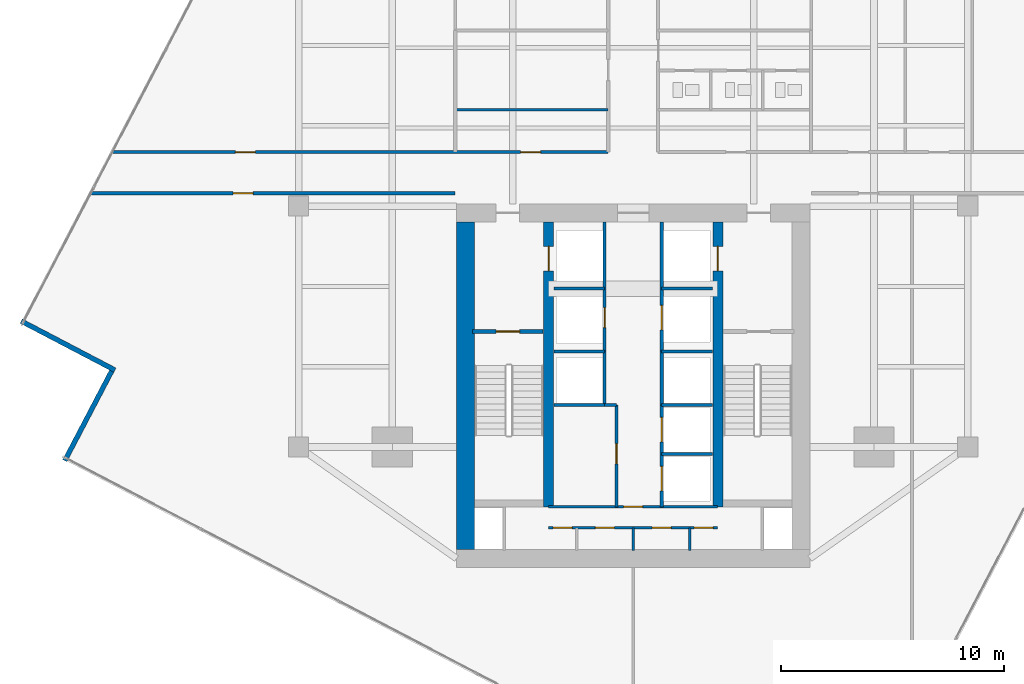
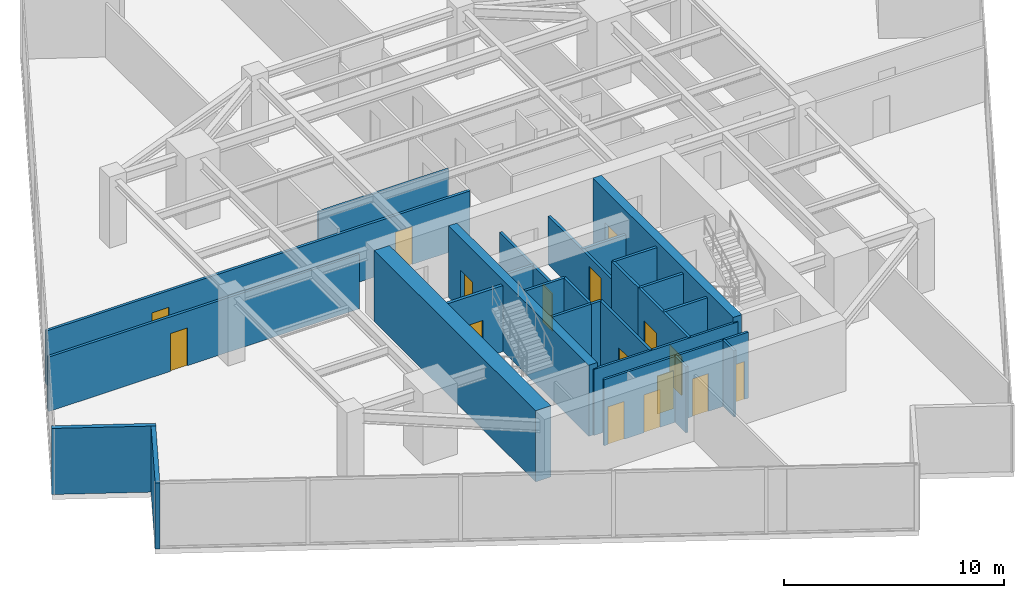
# One storey, part 23 of 27: 27 walls, 16 doors, 16 openings.
"""IFC4 building model written with IfcOpenShell, lengths in metres."""

from ifc_helpers import new_model, si_unit, direction, frame, frame_2d, origin, place, context, subcontext, project, spatial, rectangle, extrude, material, layer, layer_set, type_object, element, fill, save


model = new_model("IFC4")

# Units and contexts
model_context = context("Model", 3, precision=1e-05, world=origin(), true_north=direction((0.0, 1.0)))
body_context = subcontext(model_context, "Body", "Model", "MODEL_VIEW")
ifc_project = project(units=[si_unit("LENGTHUNIT", "METRE"), si_unit("AREAUNIT", "SQUARE_METRE"), si_unit("VOLUMEUNIT", "CUBIC_METRE"), si_unit("PLANEANGLEUNIT", "RADIAN"), si_unit("MASSUNIT", "GRAM", prefix="KILO")], contexts=[model_context])

# Site, building, storey
site_placement = place(None, origin())
site = spatial("IfcSite", under=ifc_project, at=site_placement, CompositionType="ELEMENT")
building_placement = place(site_placement, origin())
building = spatial("IfcBuilding", under=site, at=building_placement, Name="Krantzveldt Concourse Tower", CompositionType="ELEMENT")
storey_placement = place(building_placement, frame((0.0, 0.0, 154.10009765625)))
storey = spatial("IfcBuildingStorey", under=building, at=storey_placement, Name="L37", CompositionType="ELEMENT", Elevation=154.10009765625)

# Walls
ifc_material_1 = material(Name="Anodised aluminium 6063-T6", Category="aluminium")
ifc_layer_1 = layer(ifc_material_1, 0.219970703125, Name="Anodised aluminium 6063-T6", Category="aluminium")
ifc_layer_set_1 = layer_set([ifc_layer_1], Name="Anodised aluminium 6063-T6 (WL-EXT-NOTCH220)")
wall_type_1 = type_object("IfcWallType", Name="WL-EXT-NOTCH220", PredefinedType="ELEMENTEDWALL", material=ifc_layer_set_1)
wall_1_placement = place(storey_placement, frame((8.557373046875, 21.54736328125, 0.0), z_axis=(0.0, 0.0, 1.0), x_axis=(0.886000663224, -0.463683970788, 0.0)))
element("IfcWall", 1, at=wall_1_placement, inside=storey, type_object=wall_type_1, Name="EW-L37-NCH02", PredefinedType="ELEMENTEDWALL", context=body_context, shape_type="SweptSolid", body=[
    extrude(rectangle(XDim=4.7451171875, YDim=0.219970703125, at=frame_2d((2.37255859375, 0.0))), origin(), (0.0, 0.0, 1.0), 3.669921875),
])
wall_2_placement = place(storey_placement, frame((12.613037109375, 19.300537109375, 0.0), z_axis=(0.0, 0.0, 1.0), x_axis=(-0.463690434653, -0.885997280363, 0.0)))
element("IfcWall", 2, at=wall_2_placement, inside=storey, type_object=wall_type_1, Name="EW-L37-NCH03", PredefinedType="ELEMENTEDWALL", context=body_context, shape_type="SweptSolid", body=[
    extrude(rectangle(XDim=4.52490234375, YDim=0.219970703125, at=frame_2d((2.262451171875, 0.0))), origin(), (0.0, 0.0, 1.0), 3.669921875),
])

# Wall, opening, door
ifc_material_2 = material(Name="Fire-rated gypsum plasterboard on steel stud", Category="steel")
ifc_layer_2 = layer(ifc_material_2, 0.1201171875, Name="Fire-rated gypsum plasterboard on steel stud", Category="steel")
ifc_layer_set_2 = layer_set([ifc_layer_2], Name="Fire-rated gypsum plasterboard on steel stud (WL-PART-120)")
wall_type_2 = type_object("IfcWallType", Name="WL-PART-120", PredefinedType="PARTITIONING", material=ifc_layer_set_2)
wall_3_placement = place(storey_placement, frame((32.2099609375, 13.219970703125, 0.0), z_axis=(0.0, 0.0, 1.0), x_axis=(1.0, 0.0, 0.0)))
wall_3 = element("IfcWall", 3, at=wall_3_placement, inside=storey, type_object=wall_type_2, Name="WP-L37-CS2H", PredefinedType="PARTITIONING", context=body_context, shape_type="SweptSolid", body=[
    extrude(rectangle(XDim=7.580078125, YDim=0.1201171875, at=frame_2d((3.7900390625, 0.0))), origin(), (0.0, 0.0, 1.0), 3.669921875),
])
opening_1_placement = place(wall_3_placement, frame((3.364990234375, 0.0, 0.0)))
opening_1 = element("IfcOpeningElement", 4, at=opening_1_placement, cuts=wall_3, Name="Opening D-IN085", PredefinedType="OPENING", context=body_context, shape_type="SweptSolid", body=[
    extrude(rectangle(XDim=0.85009765625, YDim=2.10009765625, at=frame_2d((0.425048828125, 1.050048828125))), frame((0.0, 0.070068359375, 0.0), z_axis=(0.0, -1.0, 0.0), x_axis=(1.0, 0.0, 0.0)), (0.0, 0.0, 1.0), 0.14013671875),
])
ifc_material_3 = material(Name="Hardwood timber", Category="wood")
door_type_1 = type_object("IfcDoorType", Name="DR-INT-850", OperationType="SINGLE_SWING_LEFT", PredefinedType="DOOR", material=ifc_material_3)
door_1_placement = place(opening_1_placement, origin())
door_1 = element("IfcDoor", 5, at=door_1_placement, inside=storey, type_object=door_type_1, Name="DR-L37-LLBS", OperationType="SINGLE_SWING_RIGHT", OverallHeight=2.10009765625, OverallWidth=0.85009765625, PredefinedType="DOOR", context=body_context, shape_type="SweptSolid", body=[
    extrude(rectangle(XDim=0.85009765625, YDim=2.10009765625, at=frame_2d((0.425048828125, 1.050048828125))), frame((0.0, 0.02490234375, 0.0), z_axis=(0.0, -1.0, 0.0), x_axis=(1.0, 0.0, 0.0)), (0.0, 0.0, 1.0), 0.050048828125),
])
fill(opening_1, door_1)

# Wall, openings, doors
wall_4_placement = place(storey_placement, frame((32.2099609375, 12.280029296875, 0.0), z_axis=(0.0, 0.0, 1.0), x_axis=(1.0, 0.0, 0.0)))
wall_4 = element("IfcWall", 6, at=wall_4_placement, inside=storey, type_object=wall_type_2, Name="WP-L37-CSD-HM", PredefinedType="PARTITIONING", context=body_context, shape_type="SweptSolid", body=[
    extrude(rectangle(XDim=7.580078125, YDim=0.1201171875, at=frame_2d((3.7900390625, 0.0))), origin(), (0.0, 0.0, 1.0), 3.669921875),
])
opening_2_placement = place(wall_4_placement, frame((0.205078125, 0.0, 0.0)))
opening_2 = element("IfcOpeningElement", 7, at=opening_2_placement, cuts=wall_4, Name="Opening D-IN085", PredefinedType="OPENING", context=body_context, shape_type="SweptSolid", body=[
    extrude(rectangle(XDim=0.85009765625, YDim=2.10009765625, at=frame_2d((0.425048828125, 1.050048828125))), frame((0.0, 0.070068359375, 0.0), z_axis=(0.0, -1.0, 0.0), x_axis=(1.0, 0.0, 0.0)), (0.0, 0.0, 1.0), 0.14013671875),
])
opening_3_placement = place(wall_4_placement, frame((2.094970703125, 0.0, 0.0)))
opening_3 = element("IfcOpeningElement", 8, at=opening_3_placement, cuts=wall_4, Name="Opening D-IN085", PredefinedType="OPENING", context=body_context, shape_type="SweptSolid", body=[
    extrude(rectangle(XDim=0.85009765625, YDim=2.10009765625, at=frame_2d((0.425048828125, 1.050048828125))), frame((0.0, 0.070068359375, 0.0), z_axis=(0.0, -1.0, 0.0), x_axis=(1.0, 0.0, 0.0)), (0.0, 0.0, 1.0), 0.14013671875),
])
opening_4_placement = place(wall_4_placement, frame((4.635009765625, 0.0, 0.0)))
opening_4 = element("IfcOpeningElement", 9, at=opening_4_placement, cuts=wall_4, Name="Opening D-IN085", PredefinedType="OPENING", context=body_context, shape_type="SweptSolid", body=[
    extrude(rectangle(XDim=0.85009765625, YDim=2.10009765625, at=frame_2d((0.425048828125, 1.050048828125))), frame((0.0, 0.070068359375, 0.0), z_axis=(0.0, -1.0, 0.0), x_axis=(1.0, 0.0, 0.0)), (0.0, 0.0, 1.0), 0.14013671875),
])
opening_5_placement = place(wall_4_placement, frame((6.52490234375, 0.0, 0.0)))
opening_5 = element("IfcOpeningElement", 10, at=opening_5_placement, cuts=wall_4, Name="Opening D-IN085", PredefinedType="OPENING", context=body_context, shape_type="SweptSolid", body=[
    extrude(rectangle(XDim=0.85009765625, YDim=2.10009765625, at=frame_2d((0.425048828125, 1.050048828125))), frame((0.0, 0.070068359375, 0.0), z_axis=(0.0, -1.0, 0.0), x_axis=(1.0, 0.0, 0.0)), (0.0, 0.0, 1.0), 0.14013671875),
])
door_2_placement = place(opening_2_placement, origin())
door_2 = element("IfcDoor", 11, at=door_2_placement, inside=storey, type_object=door_type_1, Name="DR-L37-CSD1", OperationType="SINGLE_SWING_RIGHT", OverallHeight=2.10009765625, OverallWidth=0.85009765625, PredefinedType="DOOR", context=body_context, shape_type="SweptSolid", body=[
    extrude(rectangle(XDim=0.85009765625, YDim=2.10009765625, at=frame_2d((0.425048828125, 1.050048828125))), frame((0.0, 0.02490234375, 0.0), z_axis=(0.0, -1.0, 0.0), x_axis=(1.0, 0.0, 0.0)), (0.0, 0.0, 1.0), 0.050048828125),
])
fill(opening_2, door_2)
door_3_placement = place(opening_3_placement, origin())
door_3 = element("IfcDoor", 12, at=door_3_placement, inside=storey, type_object=door_type_1, Name="DR-L37-CSD2", OperationType="SINGLE_SWING_RIGHT", OverallHeight=2.10009765625, OverallWidth=0.85009765625, PredefinedType="DOOR", context=body_context, shape_type="SweptSolid", body=[
    extrude(rectangle(XDim=0.85009765625, YDim=2.10009765625, at=frame_2d((0.425048828125, 1.050048828125))), frame((0.0, 0.02490234375, 0.0), z_axis=(0.0, -1.0, 0.0), x_axis=(1.0, 0.0, 0.0)), (0.0, 0.0, 1.0), 0.050048828125),
])
fill(opening_3, door_3)
door_4_placement = place(opening_4_placement, origin())
door_4 = element("IfcDoor", 13, at=door_4_placement, inside=storey, type_object=door_type_1, Name="DR-L37-CSD3", OperationType="SINGLE_SWING_RIGHT", OverallHeight=2.10009765625, OverallWidth=0.85009765625, PredefinedType="DOOR", context=body_context, shape_type="SweptSolid", body=[
    extrude(rectangle(XDim=0.85009765625, YDim=2.10009765625, at=frame_2d((0.425048828125, 1.050048828125))), frame((0.0, 0.02490234375, 0.0), z_axis=(0.0, -1.0, 0.0), x_axis=(1.0, 0.0, 0.0)), (0.0, 0.0, 1.0), 0.050048828125),
])
fill(opening_4, door_4)
door_5_placement = place(opening_5_placement, origin())
door_5 = element("IfcDoor", 14, at=door_5_placement, inside=storey, type_object=door_type_1, Name="DR-L37-CSD4", OperationType="SINGLE_SWING_RIGHT", OverallHeight=2.10009765625, OverallWidth=0.85009765625, PredefinedType="DOOR", context=body_context, shape_type="SweptSolid", body=[
    extrude(rectangle(XDim=0.85009765625, YDim=2.10009765625, at=frame_2d((0.425048828125, 1.050048828125))), frame((0.0, 0.02490234375, 0.0), z_axis=(0.0, -1.0, 0.0), x_axis=(1.0, 0.0, 0.0)), (0.0, 0.0, 1.0), 0.050048828125),
])
fill(opening_5, door_5)

# Walls
for number, where, z_axis, x_axis, name in (
    (15, (36.0, 11.25, 0.0), (0.0, 0.0, 1.0), (0.0, 1.0, 0.0), "WP-L37-CSD-V2"),
    (16, (38.530029296875, 11.25, 0.0), (0.0, 0.0, 1.0), (0.0, 1.0, 0.0), "WP-L37-CSD-V3"),
):
    element("IfcWall", number, at=place(storey_placement, frame(where, z_axis=z_axis, x_axis=x_axis)), inside=storey, type_object=wall_type_2, Name=name, PredefinedType="PARTITIONING", context=body_context, shape_type="SweptSolid", body=[
        extrude(rectangle(XDim=1.030029296875, YDim=0.1201171875, at=frame_2d((0.51513671875, 0.0))), origin(), (0.0, 0.0, 1.0), 3.669921875),
    ])
wall_5_placement = place(storey_placement, frame((28.02001953125, 31.02001953125, 0.0), z_axis=(0.0, 0.0, 1.0), x_axis=(1.0, 0.0, 0.0)))
element("IfcWall", 17, at=wall_5_placement, inside=storey, type_object=wall_type_2, Name="WP-L37-ISML", PredefinedType="PARTITIONING", context=body_context, shape_type="SweptSolid", body=[
    extrude(rectangle(XDim=6.85986328125, YDim=0.1201171875, at=frame_2d((3.429931640625, 0.0))), origin(), (0.0, 0.0, 1.0), 3.079833984375),
])

# Wall, openings, doors
ifc_layer_3 = layer(ifc_material_2, 0.139892578125, Name="Fire-rated gypsum plasterboard on steel stud", Category="steel")
ifc_layer_set_3 = layer_set([ifc_layer_3], Name="Fire-rated gypsum plasterboard on steel stud (WL-PART-140)")
wall_type_3 = type_object("IfcWallType", Name="WL-PART-140", PredefinedType="PARTITIONING", material=ifc_layer_set_3)
wall_6_placement = place(storey_placement, frame((12.650390625, 29.1201171875, 0.0), z_axis=(0.0, 0.0, 1.0), x_axis=(1.0, 0.0, 0.0)))
wall_6 = element("IfcWall", 18, at=wall_6_placement, inside=storey, type_object=wall_type_3, Name="WP-L37-EWNL", PredefinedType="PARTITIONING", context=body_context, shape_type="SweptSolid", body=[
    extrude(rectangle(XDim=22.2294921875, YDim=0.139892578125, at=frame_2d((11.11474609375, 0.0))), origin(), (0.0, 0.0, 1.0), 3.02978515625),
])
opening_6_placement = place(wall_6_placement, frame((18.2998046875, 0.0, 0.0)))
opening_6 = element("IfcOpeningElement", 19, at=opening_6_placement, cuts=wall_6, Name="Opening D-IN090", PredefinedType="OPENING", context=body_context, shape_type="SweptSolid", body=[
    extrude(rectangle(XDim=0.89990234375, YDim=2.10009765625, at=frame_2d((0.449951171875, 1.050048828125))), frame((0.0, 0.080078125, 0.0), z_axis=(0.0, -1.0, 0.0), x_axis=(1.0, 0.0, 0.0)), (0.0, 0.0, 1.0), 0.159912109375),
])
opening_7_placement = place(wall_6_placement, frame((5.5126953125, 0.0, 0.0)))
opening_7 = element("IfcOpeningElement", 20, at=opening_7_placement, cuts=wall_6, Name="Opening D-IN090", PredefinedType="OPENING", context=body_context, shape_type="SweptSolid", body=[
    extrude(rectangle(XDim=0.89990234375, YDim=2.10009765625, at=frame_2d((0.449951171875, 1.050048828125))), frame((0.0, 0.080078125, 0.0), z_axis=(0.0, -1.0, 0.0), x_axis=(1.0, 0.0, 0.0)), (0.0, 0.0, 1.0), 0.159912109375),
])
door_type_2 = type_object("IfcDoorType", Name="DR-INT-900", OperationType="SINGLE_SWING_LEFT", PredefinedType="DOOR", material=ifc_material_3)
door_6_placement = place(opening_6_placement, origin())
door_6 = element("IfcDoor", 21, at=door_6_placement, inside=storey, type_object=door_type_2, Name="DR-L37-ALCL", OperationType="SINGLE_SWING_LEFT", OverallHeight=2.10009765625, OverallWidth=0.89990234375, PredefinedType="DOOR", context=body_context, shape_type="SweptSolid", body=[
    extrude(rectangle(XDim=0.89990234375, YDim=2.10009765625, at=frame_2d((0.449951171875, 1.050048828125))), frame((0.0, 0.02490234375, 0.0), z_axis=(0.0, -1.0, 0.0), x_axis=(1.0, 0.0, 0.0)), (0.0, 0.0, 1.0), 0.050048828125),
])
fill(opening_6, door_6)
door_7_placement = place(opening_7_placement, origin())
door_7 = element("IfcDoor", 22, at=door_7_placement, inside=storey, type_object=door_type_2, Name="DR-L37-NWX1", OperationType="SINGLE_SWING_LEFT", OverallHeight=2.10009765625, OverallWidth=0.89990234375, PredefinedType="DOOR", context=body_context, shape_type="SweptSolid", body=[
    extrude(rectangle(XDim=0.89990234375, YDim=2.10009765625, at=frame_2d((0.449951171875, 1.050048828125))), frame((0.0, 0.02490234375, 0.0), z_axis=(0.0, -1.0, 0.0), x_axis=(1.0, 0.0, 0.0)), (0.0, 0.0, 1.0), 0.050048828125),
])
fill(opening_7, door_7)

# Wall, opening, door
wall_7_placement = place(storey_placement, frame((11.687255859375, 27.280029296875, 0.0), z_axis=(0.0, 0.0, 1.0), x_axis=(1.0, 0.0, 0.0)))
wall_7 = element("IfcWall", 23, at=wall_7_placement, inside=storey, type_object=wall_type_3, Name="WP-L37-EWSL", PredefinedType="PARTITIONING", context=body_context, shape_type="SweptSolid", body=[
    extrude(rectangle(XDim=16.312744140625, YDim=0.139892578125, at=frame_2d((8.15625, 0.0))), origin(), (0.0, 0.0, 1.0), 3.02978515625),
])
opening_8_placement = place(wall_7_placement, frame((6.375732421875, 0.0, 0.0)))
opening_8 = element("IfcOpeningElement", 24, at=opening_8_placement, cuts=wall_7, Name="Opening D-IN090", PredefinedType="OPENING", context=body_context, shape_type="SweptSolid", body=[
    extrude(rectangle(XDim=0.89990234375, YDim=2.10009765625, at=frame_2d((0.449951171875, 1.050048828125))), frame((0.0, 0.080078125, 0.0), z_axis=(0.0, -1.0, 0.0), x_axis=(1.0, 0.0, 0.0)), (0.0, 0.0, 1.0), 0.159912109375),
])
door_8_placement = place(opening_8_placement, origin())
door_8 = element("IfcDoor", 25, at=door_8_placement, inside=storey, type_object=door_type_2, Name="DR-L37-SWX1", OperationType="SINGLE_SWING_LEFT", OverallHeight=2.10009765625, OverallWidth=0.89990234375, PredefinedType="DOOR", context=body_context, shape_type="SweptSolid", body=[
    extrude(rectangle(XDim=0.89990234375, YDim=2.10009765625, at=frame_2d((0.449951171875, 1.050048828125))), frame((0.0, 0.02490234375, 0.0), z_axis=(0.0, -1.0, 0.0), x_axis=(1.0, 0.0, 0.0)), (0.0, 0.0, 1.0), 0.050048828125),
])
fill(opening_8, door_8)

ifc_layer_4 = layer(ifc_material_2, 0.139892578125, Name="Fire-rated gypsum plasterboard on steel stud", Category="steel")
ifc_layer_set_4 = layer_set([ifc_layer_4], Name="Fire-rated gypsum plasterboard on steel stud (WL-PART-FR140)")
wall_type_4 = type_object("IfcWallType", Name="WL-PART-FR140", PredefinedType="PARTITIONING", material=ifc_layer_set_4)
wall_8_placement = place(storey_placement, frame((34.719970703125, 20.199951171875, 0.0), z_axis=(0.0, 0.0, 1.0), x_axis=(0.0, 1.0, 0.0)))
wall_8 = element("IfcWall", 26, at=wall_8_placement, inside=storey, type_object=wall_type_4, Name="WP-L37-SHNW", PredefinedType="PARTITIONING", context=body_context, shape_type="SweptSolid", body=[
    extrude(rectangle(XDim=5.780029296875, YDim=0.139892578125, at=frame_2d((2.89013671875, 0.0))), origin(), (0.0, 0.0, 1.0), 2.669921875),
])
opening_9_placement = place(wall_8_placement, frame((1.050048828125, 0.0, 0.0)))
opening_9 = element("IfcOpeningElement", 27, at=opening_9_placement, cuts=wall_8, Name="Opening D-FD090", PredefinedType="OPENING", context=body_context, shape_type="SweptSolid", body=[
    extrude(rectangle(XDim=0.89990234375, YDim=2.10009765625, at=frame_2d((0.449951171875, 1.050048828125))), frame((0.0, 0.080078125, 0.0), z_axis=(0.0, -1.0, 0.0), x_axis=(1.0, 0.0, 0.0)), (0.0, 0.0, 1.0), 0.159912109375),
])
door_type_3 = type_object("IfcDoorType", Name="DR-FD60-900", OperationType="SINGLE_SWING_LEFT", PredefinedType="DOOR", material=ifc_material_3)
door_9_placement = place(opening_9_placement, origin())
door_9 = element("IfcDoor", 28, at=door_9_placement, inside=storey, type_object=door_type_3, Name="Electrical Riser Access Door L37", OperationType="SINGLE_SWING_LEFT", OverallHeight=2.10009765625, OverallWidth=0.89990234375, PredefinedType="DOOR", context=body_context, shape_type="SweptSolid", body=[
    extrude(rectangle(XDim=0.89990234375, YDim=2.10009765625, at=frame_2d((0.449951171875, 1.050048828125))), frame((0.0, 0.02490234375, 0.0), z_axis=(0.0, -1.0, 0.0), x_axis=(1.0, 0.0, 0.0)), (0.0, 0.0, 1.0), 0.050048828125),
])
fill(opening_9, door_9)

wall_9_placement = place(storey_placement, frame((37.280029296875, 20.199951171875, 0.0), z_axis=(0.0, 0.0, 1.0), x_axis=(0.0, 1.0, 0.0)))
wall_9 = element("IfcWall", 29, at=wall_9_placement, inside=storey, type_object=wall_type_4, Name="WP-L37-SHNE", PredefinedType="PARTITIONING", context=body_context, shape_type="SweptSolid", body=[
    extrude(rectangle(XDim=5.780029296875, YDim=0.139892578125, at=frame_2d((2.89013671875, 0.0))), origin(), (0.0, 0.0, 1.0), 2.669921875),
])
opening_10_placement = place(wall_9_placement, frame((0.949951171875, 0.0, 0.0)))
opening_10 = element("IfcOpeningElement", 30, at=opening_10_placement, cuts=wall_9, Name="Opening LD", PredefinedType="OPENING", context=body_context, shape_type="SweptSolid", body=[
    extrude(rectangle(XDim=1.10009765625, YDim=2.14990234375, at=frame_2d((0.550048828125, 1.074951171875))), frame((0.0, 0.080078125, 0.0), z_axis=(0.0, -1.0, 0.0), x_axis=(1.0, 0.0, 0.0)), (0.0, 0.0, 1.0), 0.159912109375),
])
ifc_material_4 = material(Name="Stainless steel 316L", Category="steel")
door_type_4 = type_object("IfcDoorType", Name="DR-SLIDE-LD1100", OperationType="DOUBLE_DOOR_SLIDING", PredefinedType="DOOR", material=ifc_material_4)
door_10_placement = place(opening_10_placement, origin())
door_10 = element("IfcDoor", 31, at=door_10_placement, inside=storey, type_object=door_type_4, Name="LD-L37-GL1", OperationType="DOUBLE_DOOR_SLIDING", OverallHeight=2.14990234375, OverallWidth=1.10009765625, PredefinedType="DOOR", context=body_context, shape_type="SweptSolid", body=[
    extrude(rectangle(XDim=1.10009765625, YDim=2.14990234375, at=frame_2d((0.550048828125, 1.074951171875))), frame((0.0, 0.02490234375, 0.0), z_axis=(0.0, -1.0, 0.0), x_axis=(1.0, 0.0, 0.0)), (0.0, 0.0, 1.0), 0.050048828125),
])
fill(opening_10, door_10)

# Walls
for number, where, z_axis, x_axis, name in (
    (32, (32.449951171875, 23.0, 0.0), (0.0, 0.0, 1.0), (1.0, 0.0, 0.0), "WP-L37-RISH"),
    (33, (37.280029296875, 23.0, 0.0), (0.0, 0.0, 1.0), (1.0, 0.0, 0.0), "WP-L37-GLH"),
):
    element("IfcWall", number, at=place(storey_placement, frame(where, z_axis=z_axis, x_axis=x_axis)), inside=storey, type_object=wall_type_4, Name=name, PredefinedType="PARTITIONING", context=body_context, shape_type="SweptSolid", body=[
        extrude(rectangle(XDim=2.27001953125, YDim=0.139892578125, at=frame_2d((1.135009765625, 0.0))), origin(), (0.0, 0.0, 1.0), 2.669921875),
    ])
for number, where, z_axis, x_axis, name in (
    (34, (34.719970703125, 17.780029296875, 0.0), (0.0, 0.0, 1.0), (0.0, 1.0, 0.0), "WP-L37-SHNW2"),
    (35, (37.280029296875, 17.780029296875, 0.0), (0.0, 0.0, 1.0), (0.0, 1.0, 0.0), "WP-L37-SHNE2"),
):
    element("IfcWall", number, at=place(storey_placement, frame(where, z_axis=z_axis, x_axis=x_axis)), inside=storey, type_object=wall_type_4, Name=name, PredefinedType="PARTITIONING", context=body_context, shape_type="SweptSolid", body=[
        extrude(rectangle(XDim=2.419921875, YDim=0.139892578125, at=frame_2d((1.2099609375, 0.0))), origin(), (0.0, 0.0, 1.0), 3.669921875),
    ])
for number, where, z_axis, x_axis, name in (
    (36, (32.449951171875, 17.780029296875, 0.0), (0.0, 0.0, 1.0), (1.0, 0.0, 0.0), "WP-L37-DIVW2"),
    (37, (32.449951171875, 20.179931640625, 0.0), (0.0, 0.0, 1.0), (1.0, 0.0, 0.0), "WP-L37-DIVW3"),
    (38, (37.280029296875, 17.780029296875, 0.0), (0.0, 0.0, 1.0), (1.0, 0.0, 0.0), "WP-L37-DIVE2"),
    (39, (37.280029296875, 20.179931640625, 0.0), (0.0, 0.0, 1.0), (1.0, 0.0, 0.0), "WP-L37-DIVE3"),
):
    element("IfcWall", number, at=place(storey_placement, frame(where, z_axis=z_axis, x_axis=x_axis)), inside=storey, type_object=wall_type_4, Name=name, PredefinedType="PARTITIONING", context=body_context, shape_type="SweptSolid", body=[
        extrude(rectangle(XDim=2.27001953125, YDim=0.139892578125, at=frame_2d((1.135009765625, 0.0))), origin(), (0.0, 0.0, 1.0), 3.669921875),
    ])

# Wall, opening, door
wall_10_placement = place(storey_placement, frame((35.25, 13.219970703125, 0.0), z_axis=(0.0, 0.0, 1.0), x_axis=(0.0, 1.0, 0.0)))
wall_10 = element("IfcWall", 40, at=wall_10_placement, inside=storey, type_object=wall_type_4, Name="WP-L37-RECW", PredefinedType="PARTITIONING", context=body_context, shape_type="SweptSolid", body=[
    extrude(rectangle(XDim=4.56005859375, YDim=0.139892578125, at=frame_2d((2.280029296875, 0.0))), origin(), (0.0, 0.0, 1.0), 3.669921875),
])
opening_11_placement = place(wall_10_placement, frame((1.929931640625, 0.0, 0.0)))
opening_11 = element("IfcOpeningElement", 41, at=opening_11_placement, cuts=wall_10, Name="Opening D-FD090", PredefinedType="OPENING", context=body_context, shape_type="SweptSolid", body=[
    extrude(rectangle(XDim=0.89990234375, YDim=2.10009765625, at=frame_2d((0.449951171875, 1.050048828125))), frame((0.0, 0.080078125, 0.0), z_axis=(0.0, -1.0, 0.0), x_axis=(1.0, 0.0, 0.0)), (0.0, 0.0, 1.0), 0.159912109375),
])
door_11_placement = place(opening_11_placement, origin())
door_11 = element("IfcDoor", 42, at=door_11_placement, inside=storey, type_object=door_type_3, Name="DR-L37-RECW", OperationType="SINGLE_SWING_LEFT", OverallHeight=2.10009765625, OverallWidth=0.89990234375, PredefinedType="DOOR", context=body_context, shape_type="SweptSolid", body=[
    extrude(rectangle(XDim=0.89990234375, YDim=2.10009765625, at=frame_2d((0.449951171875, 1.050048828125))), frame((0.0, 0.02490234375, 0.0), z_axis=(0.0, -1.0, 0.0), x_axis=(1.0, 0.0, 0.0)), (0.0, 0.0, 1.0), 0.050048828125),
])
fill(opening_11, door_11)

# Wall
wall_11_placement = place(storey_placement, frame((34.719970703125, 17.780029296875, 0.0), z_axis=(0.0, 0.0, 1.0), x_axis=(1.0, 0.0, 0.0)))
element("IfcWall", 43, at=wall_11_placement, inside=storey, type_object=wall_type_4, Name="WP-L37-RECWN", PredefinedType="PARTITIONING", context=body_context, shape_type="SweptSolid", body=[
    extrude(rectangle(XDim=0.530029296875, YDim=0.139892578125, at=frame_2d((0.26513671875, 0.0))), origin(), (0.0, 0.0, 1.0), 3.669921875),
])

# Wall, openings, doors
wall_12_placement = place(storey_placement, frame((37.280029296875, 13.219970703125, 0.0), z_axis=(0.0, 0.0, 1.0), x_axis=(0.0, 1.0, 0.0)))
wall_12 = element("IfcWall", 44, at=wall_12_placement, inside=storey, type_object=wall_type_4, Name="WP-L37-SHSE", PredefinedType="PARTITIONING", context=body_context, shape_type="SweptSolid", body=[
    extrude(rectangle(XDim=4.56005859375, YDim=0.139892578125, at=frame_2d((2.280029296875, 0.0))), origin(), (0.0, 0.0, 1.0), 3.669921875),
])
opening_12_placement = place(wall_12_placement, frame((0.7099609375, 0.0, 0.0)))
opening_12 = element("IfcOpeningElement", 45, at=opening_12_placement, cuts=wall_12, Name="Opening LD", PredefinedType="OPENING", context=body_context, shape_type="SweptSolid", body=[
    extrude(rectangle(XDim=1.10009765625, YDim=2.14990234375, at=frame_2d((0.550048828125, 1.074951171875))), frame((0.0, 0.080078125, 0.0), z_axis=(0.0, -1.0, 0.0), x_axis=(1.0, 0.0, 0.0)), (0.0, 0.0, 1.0), 0.159912109375),
])
opening_13_placement = place(wall_12_placement, frame((2.909912109375, 0.0, 0.0)))
opening_13 = element("IfcOpeningElement", 46, at=opening_13_placement, cuts=wall_12, Name="Opening LD", PredefinedType="OPENING", context=body_context, shape_type="SweptSolid", body=[
    extrude(rectangle(XDim=1.10009765625, YDim=2.14990234375, at=frame_2d((0.550048828125, 1.074951171875))), frame((0.0, 0.080078125, 0.0), z_axis=(0.0, -1.0, 0.0), x_axis=(1.0, 0.0, 0.0)), (0.0, 0.0, 1.0), 0.159912109375),
])
door_12_placement = place(opening_12_placement, origin())
door_12 = element("IfcDoor", 47, at=door_12_placement, inside=storey, type_object=door_type_4, Name="LD-L37-PM1", OperationType="DOUBLE_DOOR_SLIDING", OverallHeight=2.14990234375, OverallWidth=1.10009765625, PredefinedType="DOOR", context=body_context, shape_type="SweptSolid", body=[
    extrude(rectangle(XDim=1.10009765625, YDim=2.14990234375, at=frame_2d((0.550048828125, 1.074951171875))), frame((0.0, 0.02490234375, 0.0), z_axis=(0.0, -1.0, 0.0), x_axis=(1.0, 0.0, 0.0)), (0.0, 0.0, 1.0), 0.050048828125),
])
fill(opening_12, door_12)
door_13_placement = place(opening_13_placement, origin())
door_13 = element("IfcDoor", 48, at=door_13_placement, inside=storey, type_object=door_type_4, Name="LD-L37-PM2", OperationType="DOUBLE_DOOR_SLIDING", OverallHeight=2.14990234375, OverallWidth=1.10009765625, PredefinedType="DOOR", context=body_context, shape_type="SweptSolid", body=[
    extrude(rectangle(XDim=1.10009765625, YDim=2.14990234375, at=frame_2d((0.550048828125, 1.074951171875))), frame((0.0, 0.02490234375, 0.0), z_axis=(0.0, -1.0, 0.0), x_axis=(1.0, 0.0, 0.0)), (0.0, 0.0, 1.0), 0.050048828125),
])
fill(opening_13, door_13)

# Wall
wall_13_placement = place(storey_placement, frame((37.280029296875, 15.580078125, 0.0), z_axis=(0.0, 0.0, 1.0), x_axis=(1.0, 0.0, 0.0)))
element("IfcWall", 49, at=wall_13_placement, inside=storey, type_object=wall_type_4, Name="WP-L37-DIVE1", PredefinedType="PARTITIONING", context=body_context, shape_type="SweptSolid", body=[
    extrude(rectangle(XDim=2.27001953125, YDim=0.139892578125, at=frame_2d((1.135009765625, 0.0))), origin(), (0.0, 0.0, 1.0), 3.669921875),
])

# Wall, opening, door
ifc_layer_5 = layer(ifc_material_2, 0.159912109375, Name="Fire-rated gypsum plasterboard on steel stud", Category="steel")
ifc_layer_set_5 = layer_set([ifc_layer_5], Name="Fire-rated gypsum plasterboard on steel stud (WL-PART-FR160)")
wall_type_5 = type_object("IfcWallType", Name="WL-PART-FR160", PredefinedType="PARTITIONING", material=ifc_layer_set_5)
wall_14_placement = place(storey_placement, frame((28.800048828125, 21.080078125, 0.0), z_axis=(0.0, 0.0, 1.0), x_axis=(1.0, 0.0, 0.0)))
wall_14 = element("IfcWall", 50, at=wall_14_placement, inside=storey, type_object=wall_type_5, Name="WP-L37-ST1", PredefinedType="PARTITIONING", context=body_context, shape_type="SweptSolid", body=[
    extrude(rectangle(XDim=3.159912109375, YDim=0.159912109375, at=frame_2d((1.580078125, 0.0))), origin(), (0.0, 0.0, 1.0), 3.669921875),
])
opening_14_placement = place(wall_14_placement, frame((1.054931640625, 0.0, 0.0)))
opening_14 = element("IfcOpeningElement", 51, at=opening_14_placement, cuts=wall_14, Name="Opening D-FD105", PredefinedType="OPENING", context=body_context, shape_type="SweptSolid", body=[
    extrude(rectangle(XDim=1.050048828125, YDim=2.10009765625, at=frame_2d((0.52490234375, 1.050048828125))), frame((0.0, 0.08984375, 0.0), z_axis=(0.0, -1.0, 0.0), x_axis=(1.0, 0.0, 0.0)), (0.0, 0.0, 1.0), 0.179931640625),
])
ifc_material_5 = material(Name="Galvanised steel", Category="steel")
door_type_5 = type_object("IfcDoorType", Name="DR-FD120-1050", OperationType="SINGLE_SWING_LEFT", PredefinedType="DOOR", material=ifc_material_5)
door_14_placement = place(opening_14_placement, origin())
door_14 = element("IfcDoor", 52, at=door_14_placement, inside=storey, type_object=door_type_5, Name="DR-L37-ST1", OperationType="SINGLE_SWING_RIGHT", OverallHeight=2.10009765625, OverallWidth=1.050048828125, PredefinedType="DOOR", context=body_context, shape_type="SweptSolid", body=[
    extrude(rectangle(XDim=1.050048828125, YDim=2.10009765625, at=frame_2d((0.52490234375, 1.050048828125))), frame((0.0, 0.02490234375, 0.0), z_axis=(0.0, -1.0, 0.0), x_axis=(1.0, 0.0, 0.0)), (0.0, 0.0, 1.0), 0.050048828125),
])
fill(opening_14, door_14)

ifc_material_6 = material(Name="Concrete C50/60", Category="concrete")
ifc_layer_6 = layer(ifc_material_6, 0.449951171875, Name="Concrete C50/60", Category="concrete")
ifc_layer_set_6 = layer_set([ifc_layer_6], Name="Concrete C50/60 (WL-SHEAR-450)")
wall_type_6 = type_object("IfcWallType", Name="WL-SHEAR-450", PredefinedType="SHEAR", material=ifc_layer_set_6)
wall_15_placement = place(storey_placement, frame((32.205078125, 13.219970703125, 0.0), z_axis=(0.0, 0.0, 1.0), x_axis=(0.0, 1.0, 0.0)))
wall_15 = element("IfcWall", 53, at=wall_15_placement, inside=storey, type_object=wall_type_6, Name="CW-L37-IW", PredefinedType="SHEAR", context=body_context, shape_type="SweptSolid", body=[
    extrude(rectangle(XDim=12.780029296875, YDim=0.449951171875, at=frame_2d((6.39013671875, 0.0))), origin(), (0.0, 0.0, 1.0), 3.949951171875),
])
opening_15_placement = place(wall_15_placement, frame((10.580078125, 0.0, 0.0)))
opening_15 = element("IfcOpeningElement", 54, at=opening_15_placement, cuts=wall_15, Name="Opening LD", PredefinedType="OPENING", context=body_context, shape_type="SweptSolid", body=[
    extrude(rectangle(XDim=1.10009765625, YDim=2.14990234375, at=frame_2d((0.550048828125, 1.074951171875))), frame((0.0, 0.23486328125, 0.0), z_axis=(0.0, -1.0, 0.0), x_axis=(1.0, 0.0, 0.0)), (0.0, 0.0, 1.0), 0.469970703125),
])
door_15_placement = place(opening_15_placement, origin())
door_15 = element("IfcDoor", 55, at=door_15_placement, inside=storey, type_object=door_type_4, Name="LD-L37-FL1", OperationType="DOUBLE_DOOR_SLIDING", OverallHeight=2.14990234375, OverallWidth=1.10009765625, PredefinedType="DOOR", context=body_context, shape_type="SweptSolid", body=[
    extrude(rectangle(XDim=1.10009765625, YDim=2.14990234375, at=frame_2d((0.550048828125, 1.074951171875))), frame((0.0, 0.02490234375, 0.0), z_axis=(0.0, -1.0, 0.0), x_axis=(1.0, 0.0, 0.0)), (0.0, 0.0, 1.0), 0.050048828125),
])
fill(opening_15, door_15)

wall_16_placement = place(storey_placement, frame((39.794921875, 13.219970703125, 0.0), z_axis=(0.0, 0.0, 1.0), x_axis=(0.0, 1.0, 0.0)))
wall_16 = element("IfcWall", 56, at=wall_16_placement, inside=storey, type_object=wall_type_6, Name="CW-L37-IE", PredefinedType="SHEAR", context=body_context, shape_type="SweptSolid", body=[
    extrude(rectangle(XDim=12.780029296875, YDim=0.449951171875, at=frame_2d((6.39013671875, 0.0))), origin(), (0.0, 0.0, 1.0), 3.949951171875),
])
opening_16_placement = place(wall_16_placement, frame((10.580078125, 0.0, 0.0)))
opening_16 = element("IfcOpeningElement", 57, at=opening_16_placement, cuts=wall_16, Name="Opening LD", PredefinedType="OPENING", context=body_context, shape_type="SweptSolid", body=[
    extrude(rectangle(XDim=1.10009765625, YDim=2.14990234375, at=frame_2d((0.550048828125, 1.074951171875))), frame((0.0, 0.23486328125, 0.0), z_axis=(0.0, -1.0, 0.0), x_axis=(1.0, 0.0, 0.0)), (0.0, 0.0, 1.0), 0.469970703125),
])
door_16_placement = place(opening_16_placement, origin())
door_16 = element("IfcDoor", 58, at=door_16_placement, inside=storey, type_object=door_type_4, Name="LD-L37-FL2", OperationType="DOUBLE_DOOR_SLIDING", OverallHeight=2.14990234375, OverallWidth=1.10009765625, PredefinedType="DOOR", context=body_context, shape_type="SweptSolid", body=[
    extrude(rectangle(XDim=1.10009765625, YDim=2.14990234375, at=frame_2d((0.550048828125, 1.074951171875))), frame((0.0, 0.02490234375, 0.0), z_axis=(0.0, -1.0, 0.0), x_axis=(1.0, 0.0, 0.0)), (0.0, 0.0, 1.0), 0.050048828125),
])
fill(opening_16, door_16)

# Wall
ifc_material_7 = material(Name="Concrete C60/75", Category="concrete")
ifc_layer_7 = layer(ifc_material_7, 0.800048828125, Name="Concrete C60/75", Category="concrete")
ifc_layer_set_7 = layer_set([ifc_layer_7], Name="Concrete C60/75 (WL-SHEAR-800)")
wall_type_7 = type_object("IfcWallType", Name="WL-SHEAR-800", PredefinedType="SHEAR", material=ifc_layer_set_7)
wall_17_placement = place(storey_placement, frame((28.47998046875, 11.300048828125, 0.0), z_axis=(0.0, 0.0, 1.0), x_axis=(0.0, 1.0, 0.0)))
element("IfcWall", 59, at=wall_17_placement, inside=storey, type_object=wall_type_7, Name="CW-L37-W", PredefinedType="SHEAR", context=body_context, shape_type="SweptSolid", body=[
    extrude(rectangle(XDim=14.699951171875, YDim=0.800048828125, at=frame_2d((7.35009765625, 0.0))), origin(), (0.0, 0.0, 1.0), 3.949951171875),
])

save(model, "model.ifc")
